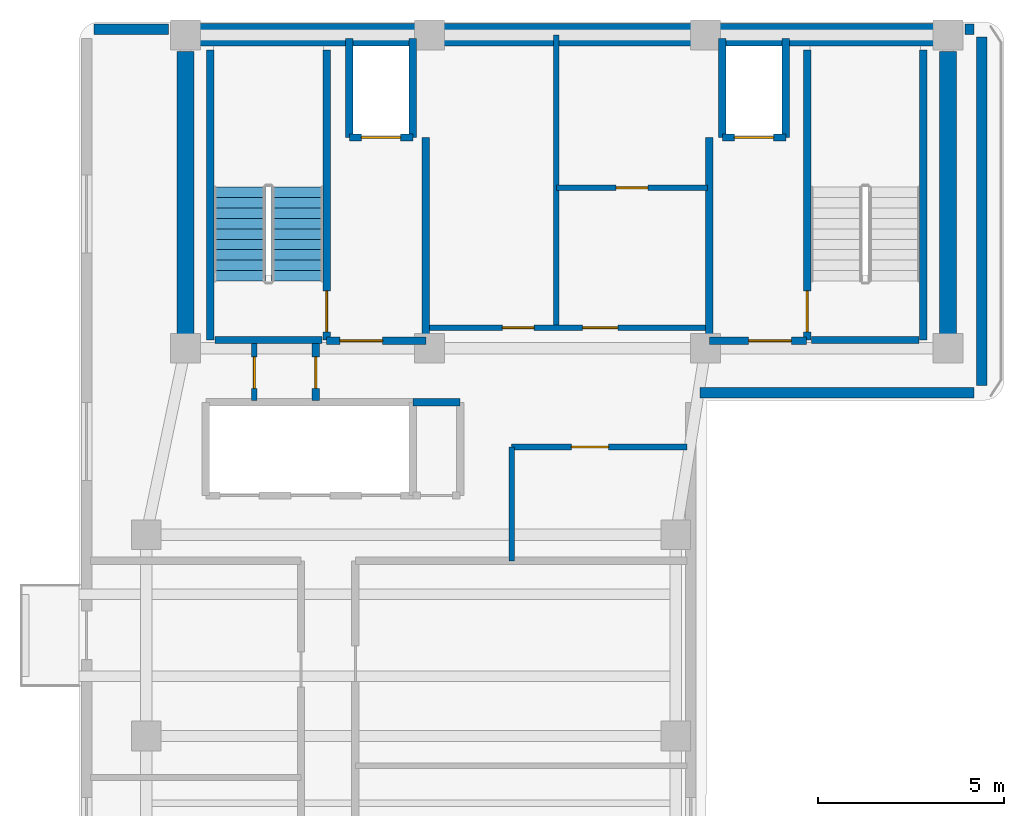
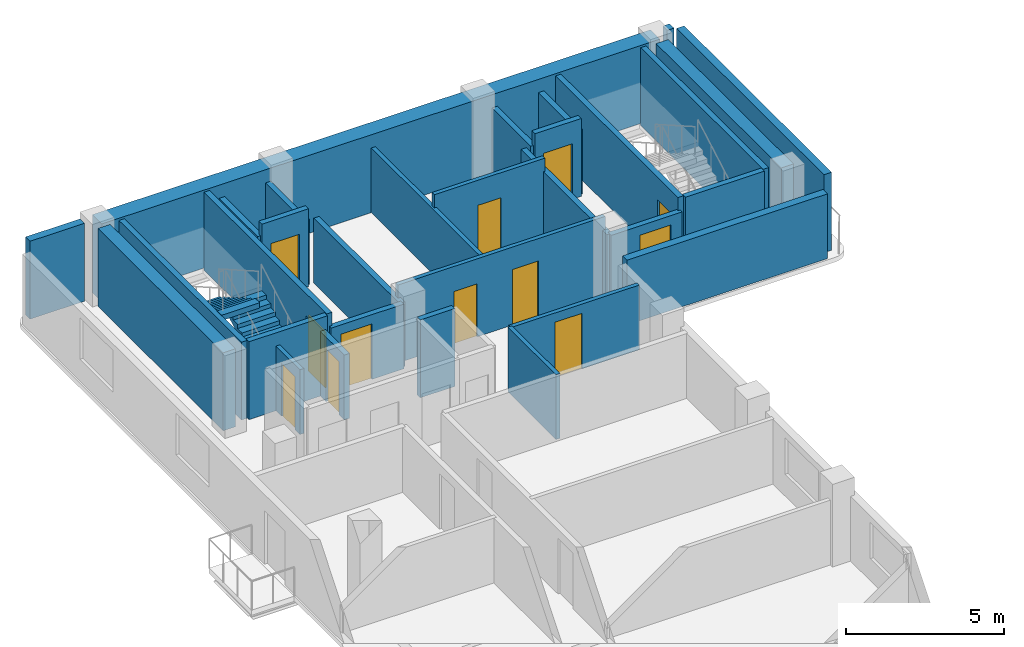
# One storey, part 3 of 6: 31 walls, 12 doors, 2 stair flights, 12 openings, 1 element without a shape of its own.
"""IFC4 building model written with IfcOpenShell, lengths in metres."""

from ifc_helpers import new_model, si_unit, direction, frame, frame_2d, origin, place, context, subcontext, project, spatial, polyline, rectangle, outline, extrude, material, layer, layer_set, type_object, element, fill, aggregate, save


model = new_model("IFC4")

# Units and contexts
model_context = context("Model", 3, precision=1e-05, world=origin(), true_north=direction((0.0, 1.0)))
body_context = subcontext(model_context, "Body", "Model", "MODEL_VIEW")
ifc_project = project(units=[si_unit("LENGTHUNIT", "METRE"), si_unit("AREAUNIT", "SQUARE_METRE"), si_unit("VOLUMEUNIT", "CUBIC_METRE"), si_unit("PLANEANGLEUNIT", "RADIAN"), si_unit("MASSUNIT", "GRAM", prefix="KILO")], contexts=[model_context])

# Site, building, storey
site_placement = place(None, origin())
site = spatial("IfcSite", under=ifc_project, at=site_placement, CompositionType="ELEMENT")
building_placement = place(site_placement, origin())
building = spatial("IfcBuilding", under=site, at=building_placement, Name="Kuzgunbayir Cultural Tower", CompositionType="ELEMENT")
storey_placement = place(building_placement, frame((0.0, 0.0, 221.60009765625)))
storey = spatial("IfcBuildingStorey", under=building, at=storey_placement, Name="L65", CompositionType="ELEMENT", Elevation=221.60009765625)

# Walls
ifc_material_1 = material(Name="Concrete C50/60", Category="concrete")
ifc_layer_1 = layer(ifc_material_1, 0.449951171875)
ifc_layer_set_1 = layer_set([ifc_layer_1], Name="Concrete C50/60")
wall_type_1 = type_object("IfcWallType", Name="WAL-CORE-450", PredefinedType="SHEAR", material=ifc_layer_set_1)
for number, where, z_axis, x_axis, name in (
    (1, (6.449951171875, 33.800048828125, 0.0), (0.0, 0.0, 1.0), (0.0, 1.0, 0.0), "L65 T1 Core West Shear Wall"),
    (2, (26.89990234375, 33.800048828125, 0.0), (0.0, 0.0, 1.0), (0.0, 1.0, 0.0), "L65 T1 Core East Shear Wall"),
):
    element("IfcWall", number, at=place(storey_placement, frame(where, z_axis=z_axis, x_axis=x_axis)), inside=storey, type_object=wall_type_1, Name=name, PredefinedType="SHEAR", context=body_context, shape_type="SweptSolid", body=[
        extrude(rectangle(XDim=7.949951171875, YDim=0.449951171875, at=frame_2d((3.97509765625, 0.0))), origin(), (0.0, 0.0, 1.0), 3.02001953125),
    ])
ifc_material_2 = material(Name="Concrete C60/75", Category="concrete")
ifc_layer_2 = layer(ifc_material_2, 0.60009765625)
ifc_layer_set_2 = layer_set([ifc_layer_2], Name="Concrete C60/75")
wall_type_2 = type_object("IfcWallType", Name="WAL-CORE-600", PredefinedType="SHEAR", material=ifc_layer_set_2)
wall_1_placement = place(storey_placement, frame((6.449951171875, 42.199951171875, 0.0), z_axis=(0.0, 0.0, 1.0), x_axis=(1.0, 0.0, 0.0)))
element("IfcWall", 3, at=wall_1_placement, inside=storey, type_object=wall_type_2, Name="L65 T1 Core North Shear Wall", PredefinedType="SHEAR", context=body_context, shape_type="SweptSolid", body=[
    extrude(rectangle(XDim=20.449951171875, YDim=0.60009765625, at=frame_2d((10.22509765625, 0.0))), origin(), (0.0, 0.0, 1.0), 3.02001953125),
])
ifc_material_3 = material(Name="Anatolian Cream Limestone", Category="masonry")
ifc_layer_3 = layer(ifc_material_3, 0.280029296875)
ifc_layer_set_3 = layer_set([ifc_layer_3], Name="Anatolian Cream Limestone")
wall_type_3 = type_object("IfcWallType", Name="WAL-EXT-STONE-280", PredefinedType="STANDARD", material=ifc_layer_set_3)
wall_2_placement = place(storey_placement, frame((27.60009765625, 42.35009765625, 0.0), z_axis=(0.0, 0.0, 1.0), x_axis=(-1.0, 0.0, 0.0)))
element("IfcWall", 4, at=wall_2_placement, inside=storey, type_object=wall_type_3, Name="L65 North Wing B Limestone Wall", PredefinedType="STANDARD", context=body_context, shape_type="SweptSolid", body=[
    extrude(rectangle(XDim=0.25, YDim=0.280029296875, at=frame_2d((0.125, 0.0))), origin(), (0.0, 0.0, 1.0), 3.02001953125),
])
wall_3_placement = place(storey_placement, frame((6.0, 42.35009765625, 0.0), z_axis=(0.0, 0.0, 1.0), x_axis=(-1.0, 0.0, 0.0)))
element("IfcWall", 5, at=wall_3_placement, inside=storey, type_object=wall_type_3, Name="L65 Core North-West Spandrel Link", PredefinedType="STANDARD", context=body_context, shape_type="SweptSolid", body=[
    extrude(rectangle(XDim=2.0, YDim=0.280029296875, at=frame_2d((1.0, 0.0))), origin(), (0.0, 0.0, 1.0), 3.02001953125),
])
wall_4_placement = place(storey_placement, frame((27.800048828125, 32.800048828125, 0.0), z_axis=(0.0, 0.0, 1.0), x_axis=(0.0, 1.0, 0.0)))
element("IfcWall", 6, at=wall_4_placement, inside=storey, type_object=wall_type_3, Name="L65 Rear Core East Limestone Wall", PredefinedType="STANDARD", context=body_context, shape_type="SweptSolid", body=[
    extrude(rectangle(XDim=9.349853515625, YDim=0.280029296875, at=frame_2d((4.6748046875, 0.0))), origin(), (0.0, 0.0, 1.0), 3.02001953125),
])
wall_5_placement = place(storey_placement, frame((20.25, 32.60009765625, 0.0), z_axis=(0.0, 0.0, 1.0), x_axis=(1.0, 0.0, 0.0)))
element("IfcWall", 7, at=wall_5_placement, inside=storey, type_object=wall_type_3, Name="L65 Core South Soffit Wall", PredefinedType="STANDARD", context=body_context, shape_type="SweptSolid", body=[
    extrude(rectangle(XDim=7.35009765625, YDim=0.280029296875, at=frame_2d((3.675048828125, 0.0))), origin(), (0.0, 0.0, 1.0), 2.510009765625),
])

# Wall, opening, door
ifc_material_4 = material(Name="Acoustic Double-Stud Drywall", Category="gypsum")
ifc_layer_4 = layer(ifc_material_4, 0.14990234375)
ifc_layer_set_4 = layer_set([ifc_layer_4], Name="Acoustic Double-Stud Drywall")
wall_type_4 = type_object("IfcWallType", Name="WAL-PART-ACOUSTIC-150", PredefinedType="PARTITIONING", material=ifc_layer_set_4)
wall_6_placement = place(storey_placement, frame((8.300048828125, 32.39990234375, 0.0), z_axis=(0.0, 0.0, 1.0), x_axis=(0.0, 1.0, 0.0)))
wall_6 = element("IfcWall", 8, at=wall_6_placement, inside=storey, type_object=wall_type_4, Name="L65 West Core Closet Divider", PredefinedType="PARTITIONING", context=body_context, shape_type="SweptSolid", body=[
    extrude(rectangle(XDim=1.52001953125, YDim=0.14990234375, at=frame_2d((0.760009765625, 0.0))), origin(), (0.0, 0.0, 1.0), 2.510009765625),
])
opening_1_placement = place(wall_6_placement, frame((0.320068359375, 0.0, 0.0)))
opening_1 = element("IfcOpeningElement", 9, at=opening_1_placement, cuts=wall_6, Name="Opening DR-RSR-60", PredefinedType="OPENING", context=body_context, shape_type="SweptSolid", body=[
    extrude(rectangle(XDim=0.85009765625, YDim=2.050048828125, at=frame_2d((0.425048828125, 1.02490234375))), frame((0.0, 0.0849609375, 0.0), z_axis=(0.0, -1.0, 0.0), x_axis=(1.0, 0.0, 0.0)), (0.0, 0.0, 1.0), 0.169921875),
])
ifc_material_5 = material(Name="Steel Access Leaf", Category="steel")
door_type_1 = type_object("IfcDoorType", Name="DR-RISER-60", OperationType="NOTDEFINED", PredefinedType="DOOR", material=ifc_material_5)
door_1_placement = place(opening_1_placement, origin())
door_1 = element("IfcDoor", 10, at=door_1_placement, inside=storey, type_object=door_type_1, Name="L65 Sub-Meter Closet Door", OperationType="SINGLE_SWING_LEFT", OverallHeight=2.050048828125, OverallWidth=0.85009765625, PredefinedType="DOOR", context=body_context, shape_type="SweptSolid", body=[
    extrude(rectangle(XDim=0.85009765625, YDim=2.050048828125, at=frame_2d((0.425048828125, 1.02490234375))), frame((0.0, 0.02490234375, 0.0), z_axis=(0.0, -1.0, 0.0), x_axis=(1.0, 0.0, 0.0)), (0.0, 0.0, 1.0), 0.050048828125),
])
fill(opening_1, door_1)

# Wall, openings, doors
wall_7_placement = place(storey_placement, frame((12.89990234375, 34.35009765625, 0.0), z_axis=(0.0, 0.0, 1.0), x_axis=(1.0, 0.0, 0.0)))
wall_7 = element("IfcWall", 11, at=wall_7_placement, inside=storey, type_object=wall_type_4, Name="L65 Sky Core South Wall", PredefinedType="PARTITIONING", context=body_context, shape_type="SweptSolid", body=[
    extrude(rectangle(XDim=7.60009765625, YDim=0.14990234375, at=frame_2d((3.800048828125, 0.0))), origin(), (0.0, 0.0, 1.0), 3.02001953125),
])
opening_2_placement = place(wall_7_placement, frame((2.050048828125, 0.0, 0.0)))
opening_2 = element("IfcOpeningElement", 12, at=opening_2_placement, cuts=wall_7, Name="Opening DC-85", PredefinedType="OPENING", context=body_context, shape_type="SweptSolid", body=[
    extrude(rectangle(XDim=0.85009765625, YDim=2.050048828125, at=frame_2d((0.425048828125, 1.02490234375))), frame((0.0, 0.0849609375, 0.0), z_axis=(0.0, -1.0, 0.0), x_axis=(1.0, 0.0, 0.0)), (0.0, 0.0, 1.0), 0.169921875),
])
opening_3_placement = place(wall_7_placement, frame((4.199951171875, 0.0, 0.0)))
opening_3 = element("IfcOpeningElement", 13, at=opening_3_placement, cuts=wall_7, Name="Opening DC-95", PredefinedType="OPENING", context=body_context, shape_type="SweptSolid", body=[
    extrude(rectangle(XDim=0.949951171875, YDim=2.14990234375, at=frame_2d((0.47509765625, 1.074951171875))), frame((0.0, 0.0849609375, 0.0), z_axis=(0.0, -1.0, 0.0), x_axis=(1.0, 0.0, 0.0)), (0.0, 0.0, 1.0), 0.169921875),
])
ifc_material_6 = material(Name="Fire-Rated Veneered Oak Leaf", Category="wood")
door_type_2 = type_object("IfcDoorType", Name="DR-CORE-85", OperationType="NOTDEFINED", PredefinedType="DOOR", material=ifc_material_6)
door_2_placement = place(opening_2_placement, origin())
door_2 = element("IfcDoor", 14, at=door_2_placement, inside=storey, type_object=door_type_2, Name="L65 Study Pod Door", OperationType="SINGLE_SWING_LEFT", OverallHeight=2.050048828125, OverallWidth=0.85009765625, PredefinedType="DOOR", context=body_context, shape_type="SweptSolid", body=[
    extrude(rectangle(XDim=0.85009765625, YDim=2.050048828125, at=frame_2d((0.425048828125, 1.02490234375))), frame((0.0, 0.02490234375, 0.0), z_axis=(0.0, -1.0, 0.0), x_axis=(1.0, 0.0, 0.0)), (0.0, 0.0, 1.0), 0.050048828125),
])
fill(opening_2, door_2)
door_type_3 = type_object("IfcDoorType", Name="DR-CORE-95", OperationType="NOTDEFINED", PredefinedType="DOOR", material=ifc_material_6)
door_3_placement = place(opening_3_placement, origin())
door_3 = element("IfcDoor", 15, at=door_3_placement, inside=storey, type_object=door_type_3, Name="L65 Tea Salon Door", OperationType="SINGLE_SWING_RIGHT", OverallHeight=2.14990234375, OverallWidth=0.949951171875, PredefinedType="DOOR", context=body_context, shape_type="SweptSolid", body=[
    extrude(rectangle(XDim=0.949951171875, YDim=2.14990234375, at=frame_2d((0.47509765625, 1.074951171875))), frame((0.0, 0.02490234375, 0.0), z_axis=(0.0, -1.0, 0.0), x_axis=(1.0, 0.0, 0.0)), (0.0, 0.0, 1.0), 0.050048828125),
])
fill(opening_3, door_3)

# Wall
wall_8_placement = place(storey_placement, frame((16.39990234375, 34.35009765625, 0.0), z_axis=(0.0, 0.0, 1.0), x_axis=(0.0, 1.0, 0.0)))
element("IfcWall", 16, at=wall_8_placement, inside=storey, type_object=wall_type_4, Name="L65 Sky Core Tri-Wall 1", PredefinedType="PARTITIONING", context=body_context, shape_type="SweptSolid", body=[
    extrude(rectangle(XDim=7.849853515625, YDim=0.14990234375, at=frame_2d((3.9248046875, 0.0))), origin(), (0.0, 0.0, 1.0), 2.510009765625),
])

# Wall, opening, door
wall_9_placement = place(storey_placement, frame((16.39990234375, 38.10009765625, 0.0), z_axis=(0.0, 0.0, 1.0), x_axis=(1.0, 0.0, 0.0)))
wall_9 = element("IfcWall", 17, at=wall_9_placement, inside=storey, type_object=wall_type_4, Name="L65 Sky Core Mid Divider", PredefinedType="PARTITIONING", context=body_context, shape_type="SweptSolid", body=[
    extrude(rectangle(XDim=4.050048828125, YDim=0.14990234375, at=frame_2d((2.02490234375, 0.0))), origin(), (0.0, 0.0, 1.0), 3.02001953125),
])
opening_4_placement = place(wall_9_placement, frame((1.60009765625, 0.0, 0.0)))
opening_4 = element("IfcOpeningElement", 18, at=opening_4_placement, cuts=wall_9, Name="Opening DC-85", PredefinedType="OPENING", context=body_context, shape_type="SweptSolid", body=[
    extrude(rectangle(XDim=0.85009765625, YDim=2.050048828125, at=frame_2d((0.425048828125, 1.02490234375))), frame((0.0, 0.0849609375, 0.0), z_axis=(0.0, -1.0, 0.0), x_axis=(1.0, 0.0, 0.0)), (0.0, 0.0, 1.0), 0.169921875),
])
door_4_placement = place(opening_4_placement, origin())
door_4 = element("IfcDoor", 19, at=door_4_placement, inside=storey, type_object=door_type_2, Name="L65 Meditation Room Door", OperationType="SINGLE_SWING_LEFT", OverallHeight=2.050048828125, OverallWidth=0.85009765625, PredefinedType="DOOR", context=body_context, shape_type="SweptSolid", body=[
    extrude(rectangle(XDim=0.85009765625, YDim=2.050048828125, at=frame_2d((0.425048828125, 1.02490234375))), frame((0.0, 0.02490234375, 0.0), z_axis=(0.0, -1.0, 0.0), x_axis=(1.0, 0.0, 0.0)), (0.0, 0.0, 1.0), 0.050048828125),
])
fill(opening_4, door_4)

wall_10_placement = place(storey_placement, frame((15.199951171875, 31.14990234375, 0.0), z_axis=(0.0, 0.0, 1.0), x_axis=(1.0, 0.0, 0.0)))
wall_10 = element("IfcWall", 20, at=wall_10_placement, inside=storey, type_object=wall_type_4, Name="L65 Central Sky Salon North Wall", PredefinedType="PARTITIONING", context=body_context, shape_type="SweptSolid", body=[
    extrude(rectangle(XDim=4.699951171875, YDim=0.14990234375, at=frame_2d((2.35009765625, 0.0))), origin(), (0.0, 0.0, 1.0), 2.510009765625),
])
opening_5_placement = place(wall_10_placement, frame((1.60009765625, 0.0, 0.0)))
opening_5 = element("IfcOpeningElement", 21, at=opening_5_placement, cuts=wall_10, Name="Opening DI-100", PredefinedType="OPENING", context=body_context, shape_type="SweptSolid", body=[
    extrude(rectangle(XDim=1.0, YDim=2.14990234375, at=frame_2d((0.5, 1.074951171875))), frame((0.0, 0.0849609375, 0.0), z_axis=(0.0, -1.0, 0.0), x_axis=(1.0, 0.0, 0.0)), (0.0, 0.0, 1.0), 0.169921875),
])
ifc_material_7 = material(Name="Veneered Oak Single Leaf", Category="wood")
door_type_4 = type_object("IfcDoorType", Name="DR-INT-100", OperationType="NOTDEFINED", PredefinedType="DOOR", material=ifc_material_7)
door_5_placement = place(opening_5_placement, origin())
door_5 = element("IfcDoor", 22, at=door_5_placement, inside=storey, type_object=door_type_4, Name="L65 Central Sky Salon Door", OperationType="SINGLE_SWING_RIGHT", OverallHeight=2.14990234375, OverallWidth=1.0, PredefinedType="DOOR", context=body_context, shape_type="SweptSolid", body=[
    extrude(rectangle(XDim=1.0, YDim=2.14990234375, at=frame_2d((0.5, 1.074951171875))), frame((0.0, 0.02490234375, 0.0), z_axis=(0.0, -1.0, 0.0), x_axis=(1.0, 0.0, 0.0)), (0.0, 0.0, 1.0), 0.050048828125),
])
fill(opening_5, door_5)

# Walls
wall_11_placement = place(storey_placement, frame((15.199951171875, 28.10009765625, 0.0), z_axis=(0.0, 0.0, 1.0), x_axis=(0.0, 1.0, 0.0)))
element("IfcWall", 23, at=wall_11_placement, inside=storey, type_object=wall_type_4, Name="L65 Central Sky Salon West Wall", PredefinedType="PARTITIONING", context=body_context, shape_type="SweptSolid", body=[
    extrude(rectangle(XDim=3.0498046875, YDim=0.14990234375, at=frame_2d((1.52490234375, 0.0))), origin(), (0.0, 0.0, 1.0), 2.510009765625),
])
ifc_material_8 = material(Name="Aerated Concrete Blockwork", Category="masonry")
ifc_layer_5 = layer(ifc_material_8, 0.199951171875)
ifc_layer_set_5 = layer_set([ifc_layer_5], Name="Aerated Concrete Blockwork")
wall_type_5 = type_object("IfcWallType", Name="WAL-PART-FIRE-200", PredefinedType="PARTITIONING", material=ifc_layer_set_5)
wall_12_placement = place(storey_placement, frame((12.89990234375, 34.0, 0.0), z_axis=(0.0, 0.0, 1.0), x_axis=(0.0, 1.0, 0.0)))
element("IfcWall", 24, at=wall_12_placement, inside=storey, type_object=wall_type_5, Name="L65 FFL-1 Lobby East Fire Wall", PredefinedType="PARTITIONING", context=body_context, shape_type="SweptSolid", body=[
    extrude(rectangle(XDim=5.449951171875, YDim=0.199951171875, at=frame_2d((2.72509765625, 0.0))), origin(), (0.0, 0.0, 1.0), 2.510009765625),
])

# Wall, opening, door
wall_13_placement = place(storey_placement, frame((10.239990234375, 34.0, 0.0), z_axis=(0.0, 0.0, 1.0), x_axis=(1.0, 0.0, 0.0)))
wall_13 = element("IfcWall", 25, at=wall_13_placement, inside=storey, type_object=wall_type_5, Name="L65 FFL-1 Lobby South Fire Wall", PredefinedType="PARTITIONING", context=body_context, shape_type="SweptSolid", body=[
    extrude(rectangle(XDim=2.659912109375, YDim=0.199951171875, at=frame_2d((1.330078125, 0.0))), origin(), (0.0, 0.0, 1.0), 2.510009765625),
])
opening_6_placement = place(wall_13_placement, frame((0.35009765625, 0.0, 0.0)))
opening_6 = element("IfcOpeningElement", 26, at=opening_6_placement, cuts=wall_13, Name="Opening DR-FFL-90", PredefinedType="OPENING", context=body_context, shape_type="SweptSolid", body=[
    extrude(rectangle(XDim=1.14990234375, YDim=2.14990234375, at=frame_2d((0.574951171875, 1.074951171875))), frame((0.0, 0.10986328125, 0.0), z_axis=(0.0, -1.0, 0.0), x_axis=(1.0, 0.0, 0.0)), (0.0, 0.0, 1.0), 0.219970703125),
])
ifc_material_9 = material(Name="Steel S355J2", Category="steel")
door_type_5 = type_object("IfcDoorType", Name="DR-FFL-90", OperationType="NOTDEFINED", PredefinedType="DOOR", material=ifc_material_9)
door_6_placement = place(opening_6_placement, origin())
door_6 = element("IfcDoor", 27, at=door_6_placement, inside=storey, type_object=door_type_5, Name="L65 Firefighting Lobby 1 Door", OperationType="SINGLE_SWING_RIGHT", OverallHeight=2.14990234375, OverallWidth=1.14990234375, PredefinedType="DOOR", context=body_context, shape_type="SweptSolid", body=[
    extrude(rectangle(XDim=1.14990234375, YDim=2.14990234375, at=frame_2d((0.574951171875, 1.074951171875))), frame((0.0, 0.02490234375, 0.0), z_axis=(0.0, -1.0, 0.0), x_axis=(1.0, 0.0, 0.0)), (0.0, 0.0, 1.0), 0.050048828125),
])
fill(opening_6, door_6)

# Wall
wall_14_placement = place(storey_placement, frame((20.5, 34.0, 0.0), z_axis=(0.0, 0.0, 1.0), x_axis=(0.0, 1.0, 0.0)))
element("IfcWall", 28, at=wall_14_placement, inside=storey, type_object=wall_type_5, Name="L65 FFL-2 Lobby West Fire Wall", PredefinedType="PARTITIONING", context=body_context, shape_type="SweptSolid", body=[
    extrude(rectangle(XDim=5.449951171875, YDim=0.199951171875, at=frame_2d((2.72509765625, 0.0))), origin(), (0.0, 0.0, 1.0), 2.510009765625),
])

# Wall, opening, door
wall_15_placement = place(storey_placement, frame((20.5, 34.0, 0.0), z_axis=(0.0, 0.0, 1.0), x_axis=(1.0, 0.0, 0.0)))
wall_15 = element("IfcWall", 29, at=wall_15_placement, inside=storey, type_object=wall_type_5, Name="L65 FFL-2 Lobby South Fire Wall", PredefinedType="PARTITIONING", context=body_context, shape_type="SweptSolid", body=[
    extrude(rectangle(XDim=2.60009765625, YDim=0.199951171875, at=frame_2d((1.300048828125, 0.0))), origin(), (0.0, 0.0, 1.0), 2.510009765625),
])
opening_7_placement = place(wall_15_placement, frame((1.050048828125, 0.0, 0.0)))
opening_7 = element("IfcOpeningElement", 30, at=opening_7_placement, cuts=wall_15, Name="Opening DR-FFL-90", PredefinedType="OPENING", context=body_context, shape_type="SweptSolid", body=[
    extrude(rectangle(XDim=1.14990234375, YDim=2.14990234375, at=frame_2d((0.574951171875, 1.074951171875))), frame((0.0, 0.10986328125, 0.0), z_axis=(0.0, -1.0, 0.0), x_axis=(1.0, 0.0, 0.0)), (0.0, 0.0, 1.0), 0.219970703125),
])
door_7_placement = place(opening_7_placement, origin())
door_7 = element("IfcDoor", 31, at=door_7_placement, inside=storey, type_object=door_type_5, Name="L65 Firefighting Lobby 2 Door", OperationType="SINGLE_SWING_LEFT", OverallHeight=2.14990234375, OverallWidth=1.14990234375, PredefinedType="DOOR", context=body_context, shape_type="SweptSolid", body=[
    extrude(rectangle(XDim=1.14990234375, YDim=2.14990234375, at=frame_2d((0.574951171875, 1.074951171875))), frame((0.0, 0.02490234375, 0.0), z_axis=(0.0, -1.0, 0.0), x_axis=(1.0, 0.0, 0.0)), (0.0, 0.0, 1.0), 0.050048828125),
])
fill(opening_7, door_7)

wall_16_placement = place(storey_placement, frame((9.949951171875, 32.39990234375, 0.0), z_axis=(0.0, 0.0, 1.0), x_axis=(0.0, 1.0, 0.0)))
wall_16 = element("IfcWall", 32, at=wall_16_placement, inside=storey, type_object=wall_type_5, Name="L65 West Core Service Closet Wall", PredefinedType="PARTITIONING", context=body_context, shape_type="SweptSolid", body=[
    extrude(rectangle(XDim=1.52001953125, YDim=0.199951171875, at=frame_2d((0.760009765625, 0.0))), origin(), (0.0, 0.0, 1.0), 2.510009765625),
])
opening_8_placement = place(wall_16_placement, frame((0.320068359375, 0.0, 0.0)))
opening_8 = element("IfcOpeningElement", 33, at=opening_8_placement, cuts=wall_16, Name="Opening DR-RSR-60", PredefinedType="OPENING", context=body_context, shape_type="SweptSolid", body=[
    extrude(rectangle(XDim=0.85009765625, YDim=2.050048828125, at=frame_2d((0.425048828125, 1.02490234375))), frame((0.0, 0.10986328125, 0.0), z_axis=(0.0, -1.0, 0.0), x_axis=(1.0, 0.0, 0.0)), (0.0, 0.0, 1.0), 0.219970703125),
])
door_8_placement = place(opening_8_placement, origin())
door_8 = element("IfcDoor", 34, at=door_8_placement, inside=storey, type_object=door_type_1, Name="L65 Cleaner Store Door", OperationType="SINGLE_SWING_RIGHT", OverallHeight=2.050048828125, OverallWidth=0.85009765625, PredefinedType="DOOR", context=body_context, shape_type="SweptSolid", body=[
    extrude(rectangle(XDim=0.85009765625, YDim=2.050048828125, at=frame_2d((0.425048828125, 1.02490234375))), frame((0.0, 0.02490234375, 0.0), z_axis=(0.0, -1.0, 0.0), x_axis=(1.0, 0.0, 0.0)), (0.0, 0.0, 1.0), 0.050048828125),
])
fill(opening_8, door_8)

# Wall
wall_17_placement = place(storey_placement, frame((12.550048828125, 32.35009765625, 0.0), z_axis=(0.0, 0.0, 1.0), x_axis=(1.0, 0.0, 0.0)))
element("IfcWall", 35, at=wall_17_placement, inside=storey, type_object=wall_type_5, Name="L65 Center Core Switchgear North Wall", PredefinedType="PARTITIONING", context=body_context, shape_type="SweptSolid", body=[
    extrude(rectangle(XDim=1.27001953125, YDim=0.199951171875, at=frame_2d((0.635009765625, 0.0))), origin(), (0.0, 0.0, 1.0), 3.02001953125),
])

# Wall, opening, door
ifc_material_10 = material(Name="Concrete C40/50", Category="concrete")
ifc_layer_6 = layer(ifc_material_10, 0.199951171875)
ifc_layer_set_6 = layer_set([ifc_layer_6], Name="Concrete C40/50")
wall_type_6 = type_object("IfcWallType", Name="WAL-SHAFT-200", PredefinedType="MOVABLE", material=ifc_layer_set_6)
wall_18_placement = place(storey_placement, frame((10.85009765625, 39.449951171875, 0.0), z_axis=(0.0, 0.0, 1.0), x_axis=(1.0, 0.0, 0.0)))
wall_18 = element("IfcWall", 36, at=wall_18_placement, inside=storey, type_object=wall_type_6, Name="L65 FFL-1 Lift Front Wall", PredefinedType="MOVABLE", context=body_context, shape_type="SweptSolid", body=[
    extrude(rectangle(XDim=1.699951171875, YDim=0.199951171875, at=frame_2d((0.85009765625, 0.0))), origin(), (0.0, 0.0, 1.0), 3.02001953125),
])
opening_9_placement = place(wall_18_placement, frame((0.320068359375, 0.0, 0.0)))
opening_9 = element("IfcOpeningElement", 37, at=opening_9_placement, cuts=wall_18, Name="Opening LD", PredefinedType="OPENING", context=body_context, shape_type="SweptSolid", body=[
    extrude(rectangle(XDim=1.050048828125, YDim=2.14990234375, at=frame_2d((0.52490234375, 1.074951171875))), frame((0.0, 0.10986328125, 0.0), z_axis=(0.0, -1.0, 0.0), x_axis=(1.0, 0.0, 0.0)), (0.0, 0.0, 1.0), 0.219970703125),
])
ifc_material_11 = material(Name="Brushed Stainless Steel", Category="steel")
door_type_6 = type_object("IfcDoorType", Name="DR-LIFT-LANDING", OperationType="SLIDING_TO_LEFT", PredefinedType="DOOR", material=ifc_material_11)
door_9_placement = place(opening_9_placement, origin())
door_9 = element("IfcDoor", 38, at=door_9_placement, inside=storey, type_object=door_type_6, Name="L65 Lift FFL-1 Landing Door", OperationType="SLIDING_TO_LEFT", OverallHeight=2.14990234375, OverallWidth=1.050048828125, PredefinedType="DOOR", context=body_context, shape_type="SweptSolid", body=[
    extrude(rectangle(XDim=1.050048828125, YDim=2.14990234375, at=frame_2d((0.52490234375, 1.074951171875))), frame((0.0, 0.02490234375, 0.0), z_axis=(0.0, -1.0, 0.0), x_axis=(1.0, 0.0, 0.0)), (0.0, 0.0, 1.0), 0.050048828125),
])
fill(opening_9, door_9)

wall_19_placement = place(storey_placement, frame((20.85009765625, 39.449951171875, 0.0), z_axis=(0.0, 0.0, 1.0), x_axis=(1.0, 0.0, 0.0)))
wall_19 = element("IfcWall", 39, at=wall_19_placement, inside=storey, type_object=wall_type_6, Name="L65 FFL-2 Lift Front Wall", PredefinedType="MOVABLE", context=body_context, shape_type="SweptSolid", body=[
    extrude(rectangle(XDim=1.699951171875, YDim=0.199951171875, at=frame_2d((0.85009765625, 0.0))), origin(), (0.0, 0.0, 1.0), 3.02001953125),
])
opening_10_placement = place(wall_19_placement, frame((0.320068359375, 0.0, 0.0)))
opening_10 = element("IfcOpeningElement", 40, at=opening_10_placement, cuts=wall_19, Name="Opening LD", PredefinedType="OPENING", context=body_context, shape_type="SweptSolid", body=[
    extrude(rectangle(XDim=1.050048828125, YDim=2.14990234375, at=frame_2d((0.52490234375, 1.074951171875))), frame((0.0, 0.10986328125, 0.0), z_axis=(0.0, -1.0, 0.0), x_axis=(1.0, 0.0, 0.0)), (0.0, 0.0, 1.0), 0.219970703125),
])
door_10_placement = place(opening_10_placement, origin())
door_10 = element("IfcDoor", 41, at=door_10_placement, inside=storey, type_object=door_type_6, Name="L65 Lift FFL-2 Landing Door", OperationType="SLIDING_TO_LEFT", OverallHeight=2.14990234375, OverallWidth=1.050048828125, PredefinedType="DOOR", context=body_context, shape_type="SweptSolid", body=[
    extrude(rectangle(XDim=1.050048828125, YDim=2.14990234375, at=frame_2d((0.52490234375, 1.074951171875))), frame((0.0, 0.02490234375, 0.0), z_axis=(0.0, -1.0, 0.0), x_axis=(1.0, 0.0, 0.0)), (0.0, 0.0, 1.0), 0.050048828125),
])
fill(opening_10, door_10)

# Walls
for number, where, z_axis, x_axis, name in (
    (42, (10.85009765625, 39.449951171875, 0.0), (0.0, 0.0, 1.0), (0.0, 1.0, 0.0), "L65 FFL-1 Shaft West Wall"),
    (43, (12.550048828125, 39.449951171875, 0.0), (0.0, 0.0, 1.0), (0.0, 1.0, 0.0), "L65 FFL-1 Shaft East Wall"),
    (44, (20.85009765625, 39.449951171875, 0.0), (0.0, 0.0, 1.0), (0.0, 1.0, 0.0), "L65 FFL-2 Shaft West Wall"),
    (45, (22.550048828125, 39.449951171875, 0.0), (0.0, 0.0, 1.0), (0.0, 1.0, 0.0), "L65 FFL-2 Shaft East Wall"),
):
    element("IfcWall", number, at=place(storey_placement, frame(where, z_axis=z_axis, x_axis=x_axis)), inside=storey, type_object=wall_type_6, Name=name, PredefinedType="MOVABLE", context=body_context, shape_type="SweptSolid", body=[
        extrude(rectangle(XDim=2.650146484375, YDim=0.199951171875, at=frame_2d((1.3251953125, 0.0))), origin(), (0.0, 0.0, 1.0), 2.510009765625),
    ])
ifc_layer_7 = layer(ifc_material_10, 0.199951171875)
ifc_layer_set_7 = layer_set([ifc_layer_7], Name="Concrete C40/50")
wall_type_7 = type_object("IfcWallType", Name="WAL-STAIR-RC-200", PredefinedType="SHEAR", material=ifc_layer_set_7)
wall_20_placement = place(storey_placement, frame((7.1201171875, 34.02001953125, 0.0), z_axis=(0.0, 0.0, 1.0), x_axis=(0.0, 1.0, 0.0)))
element("IfcWall", 46, at=wall_20_placement, inside=storey, type_object=wall_type_7, Name="L65 Stair ST-1 West Structural Wall", PredefinedType="SHEAR", context=body_context, shape_type="SweptSolid", body=[
    extrude(rectangle(XDim=7.780029296875, YDim=0.199951171875, at=frame_2d((3.89013671875, 0.0))), origin(), (0.0, 0.0, 1.0), 3.02001953125),
])

# Wall, opening, door
wall_21_placement = place(storey_placement, frame((10.239990234375, 34.02001953125, 0.0), z_axis=(0.0, 0.0, 1.0), x_axis=(0.0, 1.0, 0.0)))
wall_21 = element("IfcWall", 47, at=wall_21_placement, inside=storey, type_object=wall_type_7, Name="L65 Stair ST-1 East Structural Wall", PredefinedType="SHEAR", context=body_context, shape_type="SweptSolid", body=[
    extrude(rectangle(XDim=7.780029296875, YDim=0.199951171875, at=frame_2d((3.89013671875, 0.0))), origin(), (0.0, 0.0, 1.0), 3.02001953125),
])
opening_11_placement = place(wall_21_placement, frame((0.219970703125, 0.0, 0.0)))
opening_11 = element("IfcOpeningElement", 48, at=opening_11_placement, cuts=wall_21, Name="Opening DR-STAIR-90", PredefinedType="OPENING", context=body_context, shape_type="SweptSolid", body=[
    extrude(rectangle(XDim=1.10009765625, YDim=2.14990234375, at=frame_2d((0.550048828125, 1.074951171875))), frame((0.0, 0.10986328125, 0.0), z_axis=(0.0, -1.0, 0.0), x_axis=(1.0, 0.0, 0.0)), (0.0, 0.0, 1.0), 0.219970703125),
])
door_type_7 = type_object("IfcDoorType", Name="DR-STAIR-90", OperationType="NOTDEFINED", PredefinedType="DOOR", material=ifc_material_9)
door_11_placement = place(opening_11_placement, origin())
door_11 = element("IfcDoor", 49, at=door_11_placement, inside=storey, type_object=door_type_7, Name="L65 Stair ST-1 Fire Door", OperationType="SINGLE_SWING_LEFT", OverallHeight=2.14990234375, OverallWidth=1.10009765625, PredefinedType="DOOR", context=body_context, shape_type="SweptSolid", body=[
    extrude(rectangle(XDim=1.10009765625, YDim=2.14990234375, at=frame_2d((0.550048828125, 1.074951171875))), frame((0.0, 0.02490234375, 0.0), z_axis=(0.0, -1.0, 0.0), x_axis=(1.0, 0.0, 0.0)), (0.0, 0.0, 1.0), 0.050048828125),
])
fill(opening_11, door_11)

# Wall
wall_22_placement = place(storey_placement, frame((7.239990234375, 34.02001953125, 0.0), z_axis=(0.0, 0.0, 1.0), x_axis=(1.0, 0.0, 0.0)))
element("IfcWall", 50, at=wall_22_placement, inside=storey, type_object=wall_type_7, Name="L65 Stair ST-1 South Structural Wall", PredefinedType="SHEAR", context=body_context, shape_type="SweptSolid", body=[
    extrude(rectangle(XDim=2.880126953125, YDim=0.199951171875, at=frame_2d((1.43994140625, 0.0))), origin(), (0.0, 0.0, 1.0), 3.02001953125),
])

# Wall, opening, door
wall_23_placement = place(storey_placement, frame((23.1201171875, 34.02001953125, 0.0), z_axis=(0.0, 0.0, 1.0), x_axis=(0.0, 1.0, 0.0)))
wall_23 = element("IfcWall", 51, at=wall_23_placement, inside=storey, type_object=wall_type_7, Name="L65 Stair ST-2 West Structural Wall", PredefinedType="SHEAR", context=body_context, shape_type="SweptSolid", body=[
    extrude(rectangle(XDim=7.780029296875, YDim=0.199951171875, at=frame_2d((3.89013671875, 0.0))), origin(), (0.0, 0.0, 1.0), 3.02001953125),
])
opening_12_placement = place(wall_23_placement, frame((0.219970703125, 0.0, 0.0)))
opening_12 = element("IfcOpeningElement", 52, at=opening_12_placement, cuts=wall_23, Name="Opening DR-STAIR-90", PredefinedType="OPENING", context=body_context, shape_type="SweptSolid", body=[
    extrude(rectangle(XDim=1.10009765625, YDim=2.14990234375, at=frame_2d((0.550048828125, 1.074951171875))), frame((0.0, 0.10986328125, 0.0), z_axis=(0.0, -1.0, 0.0), x_axis=(1.0, 0.0, 0.0)), (0.0, 0.0, 1.0), 0.219970703125),
])
door_12_placement = place(opening_12_placement, origin())
door_12 = element("IfcDoor", 53, at=door_12_placement, inside=storey, type_object=door_type_7, Name="L65 Stair ST-2 Fire Door", OperationType="SINGLE_SWING_LEFT", OverallHeight=2.14990234375, OverallWidth=1.10009765625, PredefinedType="DOOR", context=body_context, shape_type="SweptSolid", body=[
    extrude(rectangle(XDim=1.10009765625, YDim=2.14990234375, at=frame_2d((0.550048828125, 1.074951171875))), frame((0.0, 0.02490234375, 0.0), z_axis=(0.0, -1.0, 0.0), x_axis=(1.0, 0.0, 0.0)), (0.0, 0.0, 1.0), 0.050048828125),
])
fill(opening_12, door_12)

# Walls
wall_24_placement = place(storey_placement, frame((26.239990234375, 34.02001953125, 0.0), z_axis=(0.0, 0.0, 1.0), x_axis=(0.0, 1.0, 0.0)))
element("IfcWall", 54, at=wall_24_placement, inside=storey, type_object=wall_type_7, Name="L65 Stair ST-2 East Structural Wall", PredefinedType="SHEAR", context=body_context, shape_type="SweptSolid", body=[
    extrude(rectangle(XDim=7.780029296875, YDim=0.199951171875, at=frame_2d((3.89013671875, 0.0))), origin(), (0.0, 0.0, 1.0), 3.02001953125),
])
wall_25_placement = place(storey_placement, frame((23.239990234375, 34.02001953125, 0.0), z_axis=(0.0, 0.0, 1.0), x_axis=(1.0, 0.0, 0.0)))
element("IfcWall", 55, at=wall_25_placement, inside=storey, type_object=wall_type_7, Name="L65 Stair ST-2 South Structural Wall", PredefinedType="SHEAR", context=body_context, shape_type="SweptSolid", body=[
    extrude(rectangle(XDim=2.880126953125, YDim=0.199951171875, at=frame_2d((1.43994140625, 0.0))), origin(), (0.0, 0.0, 1.0), 3.02001953125),
])

# Stair, stair flights
stair_type = type_object("IfcStairType", Name="STR-EXIT-CORE", PredefinedType="HALF_TURN_STAIR", material=ifc_material_10)
stair_placement = place(storey_placement, origin())
stair = element("IfcStair", 56, at=stair_placement, inside=storey, type_object=stair_type, Name="L65 ST-1", PredefinedType="HALF_TURN_STAIR")
stair_flight_type = type_object("IfcStairFlightType", Name="STRF-RC-140", PredefinedType="STRAIGHT", material=ifc_material_10)
stair_flight_1_placement = place(storey_placement, frame((9.4599609375, 35.60009765625, 0.0), z_axis=(0.0, 0.0, 1.0), x_axis=(0.0, 1.0, 0.0)))
stair_flight_1 = element("IfcStairFlight", 57, at=stair_flight_1_placement, type_object=stair_flight_type, Name="ST-1 flight 1", NumberOfRisers=10, NumberOfTreads=9, PredefinedType="STRAIGHT", RiserHeight=0.16, TreadLength=0.28, context=body_context, shape_type="SweptSolid", body=[
    extrude(outline(polyline([(0.0, 0.0), (0.0, 0.159912109375), (0.280029296875, 0.159912109375), (0.280029296875, 0.320068359375), (0.56005859375, 0.320068359375), (0.56005859375, 0.47998046875), (0.840087890625, 0.47998046875), (0.840087890625, 0.639892578125), (1.1201171875, 0.639892578125), (1.1201171875, 0.800048828125), (1.39990234375, 0.800048828125), (1.39990234375, 0.9599609375), (1.679931640625, 0.9599609375), (1.679931640625, 1.1201171875), (1.9599609375, 1.1201171875), (1.9599609375, 1.280029296875), (2.239990234375, 1.280029296875), (2.239990234375, 1.43994140625), (2.52001953125, 1.43994140625), (2.52001953125, 1.60009765625), (2.52001953125, 1.232666015625), (0.362548828125, 0.0), (0.0, 0.0)])), frame((0.0, 0.699951171875, 0.0), z_axis=(0.0, -1.0, 0.0), x_axis=(1.0, 0.0, 0.0)), (0.0, 0.0, 1.0), 1.39990234375),
])
stair_flight_2_placement = place(storey_placement, frame((7.89990234375, 38.1201171875, 1.599853515625), z_axis=(0.0, 0.0, 1.0), x_axis=(0.0, -1.0, 0.0)))
stair_flight_2 = element("IfcStairFlight", 58, at=stair_flight_2_placement, type_object=stair_flight_type, Name="ST-1 flight 2", NumberOfRisers=10, NumberOfTreads=9, PredefinedType="STRAIGHT", RiserHeight=0.16, TreadLength=0.28, context=body_context, shape_type="SweptSolid", body=[
    extrude(outline(polyline([(0.0, 0.0), (0.0, 0.159912109375), (0.280029296875, 0.159912109375), (0.280029296875, 0.320068359375), (0.56005859375, 0.320068359375), (0.56005859375, 0.47998046875), (0.840087890625, 0.47998046875), (0.840087890625, 0.639892578125), (1.1201171875, 0.639892578125), (1.1201171875, 0.800048828125), (1.39990234375, 0.800048828125), (1.39990234375, 0.9599609375), (1.679931640625, 0.9599609375), (1.679931640625, 1.1201171875), (1.9599609375, 1.1201171875), (1.9599609375, 1.280029296875), (2.239990234375, 1.280029296875), (2.239990234375, 1.43994140625), (2.52001953125, 1.43994140625), (2.52001953125, 1.60009765625), (2.52001953125, 1.232666015625), (0.362548828125, 0.0), (0.0, 0.0)])), frame((0.0, 0.699951171875, 0.0), z_axis=(0.0, -1.0, 0.0), x_axis=(1.0, 0.0, 0.0)), (0.0, 0.0, 1.0), 1.39990234375),
])
aggregate(stair, [stair_flight_1, stair_flight_2])

save(model, "model.ifc")
